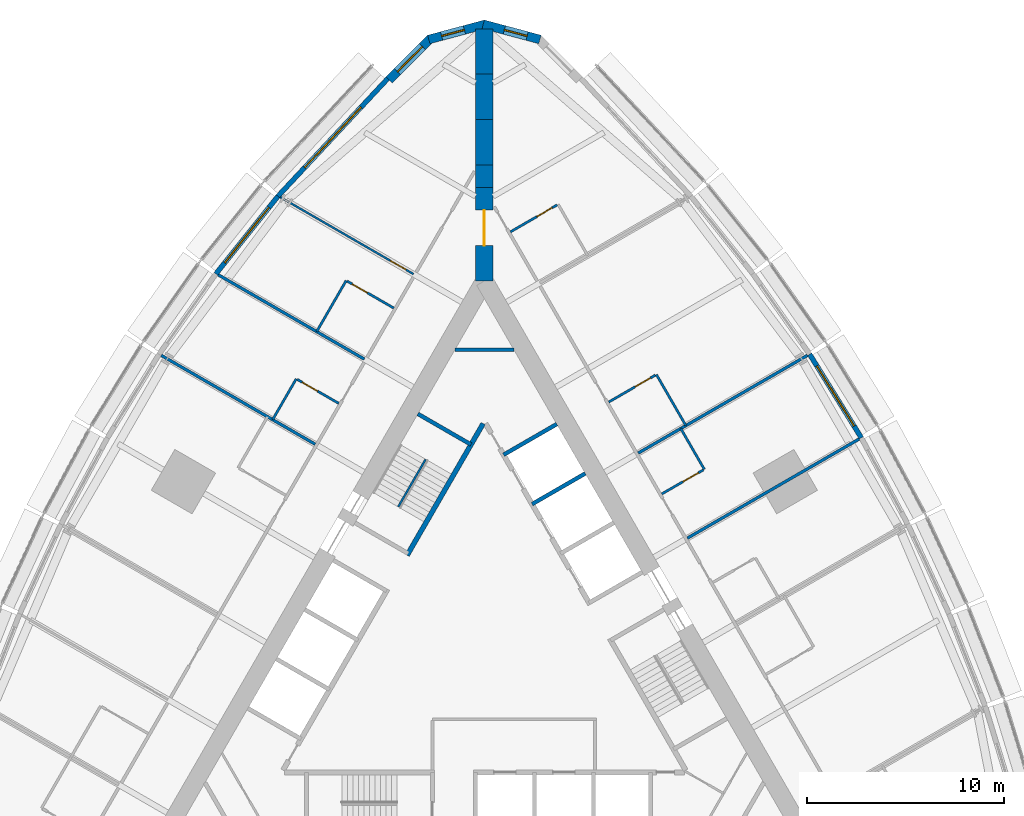
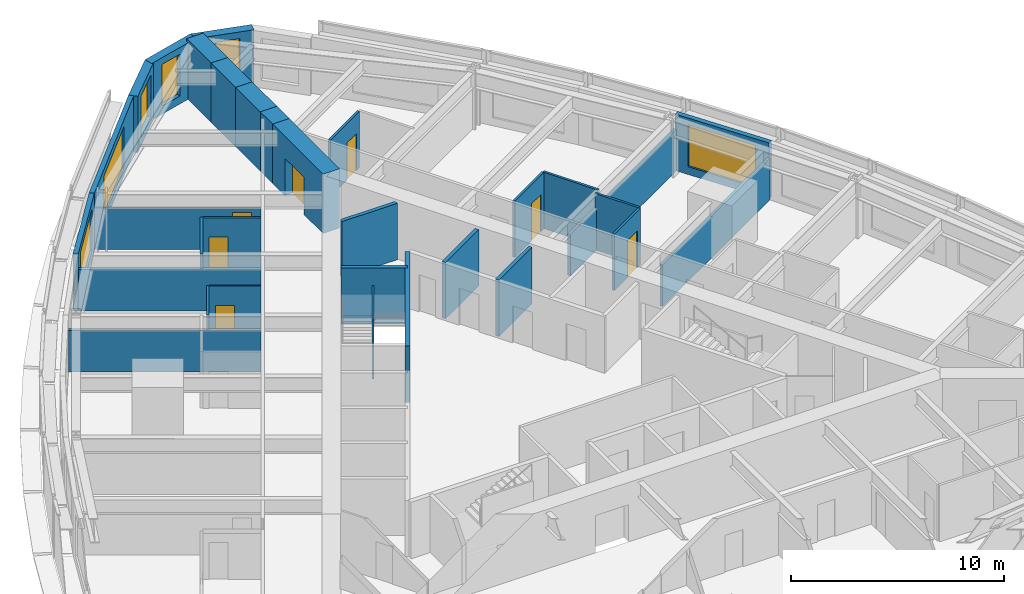
# One storey, part 12 of 14: 31 walls, 7 doors, 6 windows, 13 openings.
"""IFC4 building model written with IfcOpenShell, lengths in metres."""

from ifc_helpers import new_model, si_unit, direction, frame, frame_2d, origin, place, context, subcontext, project, spatial, polyline, rectangle, outline, extrude, material, layer, layer_set, type_object, element, fill, save


model = new_model("IFC4")

# Units and contexts
model_context = context("Model", 3, precision=1e-05, world=origin(), true_north=direction((0.0, 1.0)))
body_context = subcontext(model_context, "Body", "Model", "MODEL_VIEW")
ifc_project = project(units=[si_unit("LENGTHUNIT", "METRE"), si_unit("AREAUNIT", "SQUARE_METRE"), si_unit("VOLUMEUNIT", "CUBIC_METRE"), si_unit("PLANEANGLEUNIT", "RADIAN"), si_unit("MASSUNIT", "GRAM", prefix="KILO")], contexts=[model_context])

# Site, building, storey
site_placement = place(None, origin())
site = spatial("IfcSite", under=ifc_project, at=site_placement, CompositionType="ELEMENT")
building_placement = place(site_placement, origin())
building = spatial("IfcBuilding", under=site, at=building_placement, Name="Trikona Tower", CompositionType="ELEMENT")
storey_placement = place(building_placement, frame((0.0, 0.0, 65.89990234375)))
storey = spatial("IfcBuildingStorey", under=building, at=storey_placement, Name="L16", CompositionType="ELEMENT", Elevation=65.89990234375)

# Wall
ifc_material_1 = material(Name="Metal stud and cement board", Category="gypsum")
ifc_layer_1 = layer(ifc_material_1, 0.1201171875)
ifc_layer_set_1 = layer_set([ifc_layer_1], Name="Bathroom wall 120")
wall_type_1 = type_object("IfcWallType", Name="Bathroom wall 120", PredefinedType="PLUMBINGWALL", material=ifc_layer_set_1)
wall_1_placement = place(storey_placement, frame((11.193603515625, 9.46484375, 0.0), z_axis=(0.0, 0.0, 1.0), x_axis=(-0.500077600433, 0.865980596518, 0.0)))
element("IfcWall", 1, at=wall_1_placement, inside=storey, type_object=wall_type_1, Name="Bathroom wall 1610", PredefinedType="PLUMBINGWALL", context=body_context, shape_type="SweptSolid", body=[
    extrude(rectangle(XDim=2.39990234375, YDim=0.1201171875, at=frame_2d((1.199951171875, 0.0))), origin(), (0.0, 0.0, 1.0), 3.235107421875),
])

# Wall, opening, door
wall_2_placement = place(storey_placement, frame((9.028564453125, 8.21484375, 0.0), z_axis=(0.0, 0.0, 1.0), x_axis=(0.866023955769, 0.500002508028, 0.0)))
wall_2 = element("IfcWall", 2, at=wall_2_placement, inside=storey, type_object=wall_type_1, Name="Bathroom wall 1610", PredefinedType="PLUMBINGWALL", context=body_context, shape_type="SweptSolid", body=[
    extrude(rectangle(XDim=2.43994140625, YDim=0.1201171875, at=frame_2d((1.219970703125, 0.0))), origin(), (0.0, 0.0, 1.0), 3.235107421875),
])
opening_1_placement = place(wall_2_placement, frame((1.25, 0.0, 0.0)))
opening_1 = element("IfcOpeningElement", 3, at=opening_1_placement, cuts=wall_2, Name="Opening D2", PredefinedType="OPENING", context=body_context, shape_type="SweptSolid", body=[
    extrude(rectangle(XDim=0.89990234375, YDim=2.1298828125, at=frame_2d((0.449951171875, 1.06494140625))), frame((0.0, 0.070068359375, 0.0), z_axis=(0.0, -1.0, 0.0), x_axis=(1.0, 0.0, 0.0)), (0.0, 0.0, 1.0), 0.14013671875),
])
ifc_material_2 = material(Name="Steel door frame with solid-core timber leaf", Category="steel")
door_type_1 = type_object("IfcDoorType", Name="Bathroom door 900x2130", OperationType="SLIDING_TO_LEFT", PredefinedType="DOOR", material=ifc_material_2)
door_1_placement = place(opening_1_placement, origin())
door_1 = element("IfcDoor", 4, at=door_1_placement, inside=storey, type_object=door_type_1, Name="Bathroom door 1610", OperationType="SLIDING_TO_LEFT", OverallHeight=2.1298828125, OverallWidth=0.89990234375, PredefinedType="DOOR", context=body_context, shape_type="SweptSolid", body=[
    extrude(rectangle(XDim=0.89990234375, YDim=2.1298828125, at=frame_2d((0.449951171875, 1.06494140625))), frame((0.0, 0.02490234375, 0.0), z_axis=(0.0, -1.0, 0.0), x_axis=(1.0, 0.0, 0.0)), (0.0, 0.0, 1.0), 0.050048828125),
])
fill(opening_1, door_1)

# Wall
wall_3_placement = place(storey_placement, frame((10.25341796875, 11.693359375, 0.0), z_axis=(0.0, 0.0, 1.0), x_axis=(-0.50002537861, 0.866010750942, 0.0)))
element("IfcWall", 5, at=wall_3_placement, inside=storey, type_object=wall_type_1, Name="Bathroom wall 1611", PredefinedType="PLUMBINGWALL", context=body_context, shape_type="SweptSolid", body=[
    extrude(rectangle(XDim=2.999755859375, YDim=0.1201171875, at=frame_2d((1.5, 0.0))), origin(), (0.0, 0.0, 1.0), 3.235107421875),
])

# Wall, opening, door
wall_4_placement = place(storey_placement, frame((6.32861328125, 12.891357421875, 0.0), z_axis=(0.0, 0.0, 1.0), x_axis=(0.866035715982, 0.499982138324, 0.0)))
wall_4 = element("IfcWall", 6, at=wall_4_placement, inside=storey, type_object=wall_type_1, Name="Bathroom wall 1611", PredefinedType="PLUMBINGWALL", context=body_context, shape_type="SweptSolid", body=[
    extrude(rectangle(XDim=2.73974609375, YDim=0.1201171875, at=frame_2d((1.369873046875, 0.0))), origin(), (0.0, 0.0, 1.0), 3.235107421875),
])
opening_2_placement = place(wall_4_placement, frame((1.550048828125, 0.0, 0.0)))
opening_2 = element("IfcOpeningElement", 7, at=opening_2_placement, cuts=wall_4, Name="Opening D2", PredefinedType="OPENING", context=body_context, shape_type="SweptSolid", body=[
    extrude(rectangle(XDim=0.89990234375, YDim=2.1298828125, at=frame_2d((0.449951171875, 1.06494140625))), frame((0.0, 0.070068359375, 0.0), z_axis=(0.0, -1.0, 0.0), x_axis=(1.0, 0.0, 0.0)), (0.0, 0.0, 1.0), 0.14013671875),
])
door_2_placement = place(opening_2_placement, origin())
door_2 = element("IfcDoor", 8, at=door_2_placement, inside=storey, type_object=door_type_1, Name="Bathroom door 1611", OperationType="SLIDING_TO_LEFT", OverallHeight=2.1298828125, OverallWidth=0.89990234375, PredefinedType="DOOR", context=body_context, shape_type="SweptSolid", body=[
    extrude(rectangle(XDim=0.89990234375, YDim=2.1298828125, at=frame_2d((0.449951171875, 1.06494140625))), frame((0.0, 0.02490234375, 0.0), z_axis=(0.0, -1.0, 0.0), x_axis=(1.0, 0.0, 0.0)), (0.0, 0.0, 1.0), 0.050048828125),
])
fill(opening_2, door_2)

wall_5_placement = place(storey_placement, frame((1.32861328125, 21.551513671875, 0.0), z_axis=(0.0, 0.0, 1.0), x_axis=(0.865997131366, 0.500048966069, 0.0)))
wall_5 = element("IfcWall", 9, at=wall_5_placement, inside=storey, type_object=wall_type_1, Name="Bathroom wall 1612", PredefinedType="PLUMBINGWALL", context=body_context, shape_type="SweptSolid", body=[
    extrude(rectangle(XDim=2.739990234375, YDim=0.1201171875, at=frame_2d((1.3701171875, 0.0))), origin(), (0.0, 0.0, 1.0), 3.235107421875),
])
opening_3_placement = place(wall_5_placement, frame((1.550048828125, 0.0, 0.0)))
opening_3 = element("IfcOpeningElement", 10, at=opening_3_placement, cuts=wall_5, Name="Opening D2", PredefinedType="OPENING", context=body_context, shape_type="SweptSolid", body=[
    extrude(rectangle(XDim=0.89990234375, YDim=2.1298828125, at=frame_2d((0.449951171875, 1.06494140625))), frame((0.0, 0.070068359375, 0.0), z_axis=(0.0, -1.0, 0.0), x_axis=(1.0, 0.0, 0.0)), (0.0, 0.0, 1.0), 0.14013671875),
])
door_3_placement = place(opening_3_placement, origin())
door_3 = element("IfcDoor", 11, at=door_3_placement, inside=storey, type_object=door_type_1, Name="Bathroom door 1612", OperationType="SLIDING_TO_LEFT", OverallHeight=2.1298828125, OverallWidth=0.89990234375, PredefinedType="DOOR", context=body_context, shape_type="SweptSolid", body=[
    extrude(rectangle(XDim=0.89990234375, YDim=2.1298828125, at=frame_2d((0.449951171875, 1.06494140625))), frame((0.0, 0.02490234375, 0.0), z_axis=(0.0, -1.0, 0.0), x_axis=(1.0, 0.0, 0.0)), (0.0, 0.0, 1.0), 0.050048828125),
])
fill(opening_3, door_3)

# Wall
wall_6_placement = place(storey_placement, frame((-7.03271484375, 19.071533203125, 0.0), z_axis=(0.0, 0.0, 1.0), x_axis=(-0.499990139034, -0.866031096941, 0.0)))
element("IfcWall", 12, at=wall_6_placement, inside=storey, type_object=wall_type_1, Name="Bathroom wall 1613.1", PredefinedType="PLUMBINGWALL", context=body_context, shape_type="SweptSolid", body=[
    extrude(rectangle(XDim=3.0, YDim=0.1201171875, at=frame_2d((1.5, 0.0))), origin(), (0.0, 0.0, 1.0), 3.235107421875),
])

# Wall, opening, door
wall_7_placement = place(storey_placement, frame((-4.60791015625, 17.67138671875, 0.0), z_axis=(0.0, 0.0, 1.0), x_axis=(-0.865997131366, 0.500048966069, 0.0)))
wall_7 = element("IfcWall", 13, at=wall_7_placement, inside=storey, type_object=wall_type_1, Name="Bathroom wall 1613.1", PredefinedType="PLUMBINGWALL", context=body_context, shape_type="SweptSolid", body=[
    extrude(rectangle(XDim=2.739990234375, YDim=0.1201171875, at=frame_2d((1.3701171875, 0.0))), origin(), (0.0, 0.0, 1.0), 3.235107421875),
])
opening_4_placement = place(wall_7_placement, frame((1.550048828125, 0.0, 0.0)))
opening_4 = element("IfcOpeningElement", 14, at=opening_4_placement, cuts=wall_7, Name="Opening D2", PredefinedType="OPENING", context=body_context, shape_type="SweptSolid", body=[
    extrude(rectangle(XDim=0.89990234375, YDim=2.1298828125, at=frame_2d((0.449951171875, 1.06494140625))), frame((0.0, 0.070068359375, 0.0), z_axis=(0.0, -1.0, 0.0), x_axis=(1.0, 0.0, 0.0)), (0.0, 0.0, 1.0), 0.14013671875),
])
door_4_placement = place(opening_4_placement, origin())
door_4 = element("IfcDoor", 15, at=door_4_placement, inside=storey, type_object=door_type_1, Name="Bathroom door 1613.1", OperationType="SLIDING_TO_LEFT", OverallHeight=2.1298828125, OverallWidth=0.89990234375, PredefinedType="DOOR", context=body_context, shape_type="SweptSolid", body=[
    extrude(rectangle(XDim=0.89990234375, YDim=2.1298828125, at=frame_2d((0.449951171875, 1.06494140625))), frame((0.0, 0.02490234375, 0.0), z_axis=(0.0, -1.0, 0.0), x_axis=(1.0, 0.0, 0.0)), (0.0, 0.0, 1.0), 0.050048828125),
])
fill(opening_4, door_4)

# Wall
wall_8_placement = place(storey_placement, frame((-9.572998046875, 14.07177734375, 0.0), z_axis=(0.0, 0.0, 1.0), x_axis=(-0.500001309137, -0.866024647952, 0.0)))
element("IfcWall", 16, at=wall_8_placement, inside=storey, type_object=wall_type_1, Name="Bathroom wall 1614", PredefinedType="PLUMBINGWALL", context=body_context, shape_type="SweptSolid", body=[
    extrude(rectangle(XDim=2.39990234375, YDim=0.1201171875, at=frame_2d((1.199951171875, 0.0))), origin(), (0.0, 0.0, 1.0), 3.235107421875),
])

# Wall, opening, door
wall_9_placement = place(storey_placement, frame((-7.407958984375, 12.82177734375, 0.0), z_axis=(0.0, 0.0, 1.0), x_axis=(-0.866023955769, 0.500002508028, 0.0)))
wall_9 = element("IfcWall", 17, at=wall_9_placement, inside=storey, type_object=wall_type_1, Name="Bathroom wall 1614", PredefinedType="PLUMBINGWALL", context=body_context, shape_type="SweptSolid", body=[
    extrude(rectangle(XDim=2.43994140625, YDim=0.1201171875, at=frame_2d((1.219970703125, 0.0))), origin(), (0.0, 0.0, 1.0), 3.235107421875),
])
opening_5_placement = place(wall_9_placement, frame((1.25, 0.0, 0.0)))
opening_5 = element("IfcOpeningElement", 18, at=opening_5_placement, cuts=wall_9, Name="Opening D2", PredefinedType="OPENING", context=body_context, shape_type="SweptSolid", body=[
    extrude(rectangle(XDim=0.89990234375, YDim=2.1298828125, at=frame_2d((0.449951171875, 1.06494140625))), frame((0.0, 0.070068359375, 0.0), z_axis=(0.0, -1.0, 0.0), x_axis=(1.0, 0.0, 0.0)), (0.0, 0.0, 1.0), 0.14013671875),
])
door_5_placement = place(opening_5_placement, origin())
door_5 = element("IfcDoor", 19, at=door_5_placement, inside=storey, type_object=door_type_1, Name="Bathroom door 1614", OperationType="SLIDING_TO_LEFT", OverallHeight=2.1298828125, OverallWidth=0.89990234375, PredefinedType="DOOR", context=body_context, shape_type="SweptSolid", body=[
    extrude(rectangle(XDim=0.89990234375, YDim=2.1298828125, at=frame_2d((0.449951171875, 1.06494140625))), frame((0.0, 0.02490234375, 0.0), z_axis=(0.0, -1.0, 0.0), x_axis=(1.0, 0.0, 0.0)), (0.0, 0.0, 1.0), 0.050048828125),
])
fill(opening_5, door_5)

# Wall, opening, window
ifc_material_3 = material(Name="Brick-faced precast concrete", Category="masonry")
ifc_layer_2 = layer(ifc_material_3, 0.449951171875)
ifc_layer_set_2 = layer_set([ifc_layer_2], Name="Brick-faced corner wall 450")
wall_type_2 = type_object("IfcWallType", Name="Brick-faced corner wall 450", PredefinedType="SOLIDWALL", material=ifc_layer_set_2)
wall_10_placement = place(storey_placement, frame((2.82861328125, 31.3408203125, 0.0), z_axis=(0.0, 0.0, 1.0), x_axis=(-0.965930548995, 0.258801419081, 0.0)))
wall_10 = element("IfcWall", 20, at=wall_10_placement, inside=storey, type_object=wall_type_2, Name="External wall L16-21", PredefinedType="SOLIDWALL", context=body_context, shape_type="SweptSolid", body=[
    extrude(outline(polyline([(2.988525390625, 0.22509765625), (2.92919921875, 0.22509765625), (2.4375, 0.09326171875), (2.40234375, 0.22509765625), (0.0, 0.22509765625), (0.0, -0.22509765625), (2.988525390625, -0.22509765625), (2.988525390625, 0.22509765625)])), origin(), (0.0, 0.0, 1.0), 3.235107421875),
])
opening_6_placement = place(wall_10_placement, frame((0.676025390625, 0.0, 0.449951171875)))
opening_6 = element("IfcOpeningElement", 21, at=opening_6_placement, cuts=wall_10, Name="Opening W1224", PredefinedType="OPENING", context=body_context, shape_type="SweptSolid", body=[
    extrude(rectangle(XDim=1.199951171875, YDim=2.39990234375, at=frame_2d((0.60009765625, 1.199951171875))), frame((0.0, 0.23486328125, 0.0), z_axis=(0.0, -1.0, 0.0), x_axis=(1.0, 0.0, 0.0)), (0.0, 0.0, 1.0), 0.469970703125),
])
ifc_material_4 = material(Name="Aluminium-framed double glazing", Category="aluminium")
window_type_1 = type_object("IfcWindowType", Name="Window 1200x2400", PartitioningType="SINGLE_PANEL", PredefinedType="WINDOW", material=ifc_material_4)
window_1_placement = place(opening_6_placement, origin())
window_1 = element("IfcWindow", 22, at=window_1_placement, inside=storey, type_object=window_type_1, Name="Window 1612", OverallHeight=2.39990234375, OverallWidth=1.199951171875, PartitioningType="SINGLE_PANEL", PredefinedType="WINDOW", context=body_context, shape_type="SweptSolid", body=[
    extrude(rectangle(XDim=1.199951171875, YDim=2.39990234375, at=frame_2d((0.60009765625, 1.199951171875))), frame((0.0, 0.030029296875, 0.0), z_axis=(0.0, -1.0, 0.0), x_axis=(1.0, 0.0, 0.0)), (0.0, 0.0, 1.0), 0.06005859375),
])
fill(opening_6, window_1)

wall_11_placement = place(storey_placement, frame((0.05810546875, 32.1142578125, 0.0), z_axis=(0.0, 0.0, 1.0), x_axis=(-0.965930548995, -0.258801419081, 0.0)))
wall_11 = element("IfcWall", 23, at=wall_11_placement, inside=storey, type_object=wall_type_2, Name="External wall L16-22", PredefinedType="SOLIDWALL", context=body_context, shape_type="SweptSolid", body=[
    extrude(outline(polyline([(2.988525390625, 0.22509765625), (0.58642578125, 0.22509765625), (0.551025390625, 0.09326171875), (0.059326171875, 0.22509765625), (0.0, 0.22509765625), (0.0, -0.22509765625), (2.988525390625, -0.22509765625), (2.988525390625, 0.22509765625)])), origin(), (0.0, 0.0, 1.0), 3.235107421875),
])
opening_7_placement = place(wall_11_placement, frame((1.112548828125, 0.0, 0.449951171875)))
opening_7 = element("IfcOpeningElement", 24, at=opening_7_placement, cuts=wall_11, Name="Opening W1224", PredefinedType="OPENING", context=body_context, shape_type="SweptSolid", body=[
    extrude(rectangle(XDim=1.199951171875, YDim=2.39990234375, at=frame_2d((0.60009765625, 1.199951171875))), frame((0.0, 0.23486328125, 0.0), z_axis=(0.0, -1.0, 0.0), x_axis=(1.0, 0.0, 0.0)), (0.0, 0.0, 1.0), 0.469970703125),
])
window_2_placement = place(opening_7_placement, origin())
window_2 = element("IfcWindow", 25, at=window_2_placement, inside=storey, type_object=window_type_1, Name="Window 1613", OverallHeight=2.39990234375, OverallWidth=1.199951171875, PartitioningType="SINGLE_PANEL", PredefinedType="WINDOW", context=body_context, shape_type="SweptSolid", body=[
    extrude(rectangle(XDim=1.199951171875, YDim=2.39990234375, at=frame_2d((0.60009765625, 1.199951171875))), frame((0.0, 0.030029296875, 0.0), z_axis=(0.0, -1.0, 0.0), x_axis=(1.0, 0.0, 0.0)), (0.0, 0.0, 1.0), 0.06005859375),
])
fill(opening_7, window_2)

wall_12_placement = place(storey_placement, frame((-2.727783203125, 31.39892578125, 0.0), z_axis=(0.0, 0.0, 1.0), x_axis=(-0.707106781187, -0.707106781187, 0.0)))
wall_12 = element("IfcWall", 26, at=wall_12_placement, inside=storey, type_object=wall_type_2, Name="External wall L16-23", PredefinedType="SOLIDWALL", context=body_context, shape_type="SweptSolid", body=[
    extrude(rectangle(XDim=2.98828125, YDim=0.449951171875, at=frame_2d((1.494140625, 0.0))), origin(), (0.0, 0.0, 1.0), 3.235107421875),
])
opening_8_placement = place(wall_12_placement, frame((0.59423828125, 0.0, 0.449951171875)))
opening_8 = element("IfcOpeningElement", 27, at=opening_8_placement, cuts=wall_12, Name="Opening W1824", PredefinedType="OPENING", context=body_context, shape_type="SweptSolid", body=[
    extrude(rectangle(XDim=1.800048828125, YDim=2.39990234375, at=frame_2d((0.89990234375, 1.199951171875))), frame((0.0, 0.23486328125, 0.0), z_axis=(0.0, -1.0, 0.0), x_axis=(1.0, 0.0, 0.0)), (0.0, 0.0, 1.0), 0.469970703125),
])
ifc_material_5 = material(Name="Aluminium-framed double glazing", Category="aluminium")
window_type_2 = type_object("IfcWindowType", Name="Window 1800x2400", PartitioningType="SINGLE_PANEL", PredefinedType="WINDOW", material=ifc_material_5)
window_3_placement = place(opening_8_placement, origin())
window_3 = element("IfcWindow", 28, at=window_3_placement, inside=storey, type_object=window_type_2, Name="Window 1613", OverallHeight=2.39990234375, OverallWidth=1.800048828125, PartitioningType="SINGLE_PANEL", PredefinedType="WINDOW", context=body_context, shape_type="SweptSolid", body=[
    extrude(rectangle(XDim=1.800048828125, YDim=2.39990234375, at=frame_2d((0.89990234375, 1.199951171875))), frame((0.0, 0.030029296875, 0.0), z_axis=(0.0, -1.0, 0.0), x_axis=(1.0, 0.0, 0.0)), (0.0, 0.0, 1.0), 0.06005859375),
])
fill(opening_8, window_3)

# Wall, opening, door
ifc_material_6 = material(Name="Concrete f'c 10000 psi", Category="concrete")
ifc_layer_3 = layer(ifc_material_6, 0.89990234375)
ifc_layer_set_3 = layer_set([ifc_layer_3], Name="Buttress wall 900")
wall_type_3 = type_object("IfcWallType", Name="Buttress wall 900", PredefinedType="SHEAR", material=ifc_layer_set_3)
wall_13_placement = place(storey_placement, frame((0.0, 19.052490234375, 0.0), z_axis=(0.0, 0.0, 1.0), x_axis=(0.0, 1.0, 0.0)))
wall_13 = element("IfcWall", 29, at=wall_13_placement, inside=storey, type_object=wall_type_3, Name="Buttress wall 2", PredefinedType="SHEAR", context=body_context, shape_type="SweptSolid", body=[
    extrude(rectangle(XDim=4.74609375, YDim=0.89990234375, at=frame_2d((2.373046875, 0.0))), origin(), (0.0, 0.0, 1.0), 3.400146484375),
])
opening_9_placement = place(wall_13_placement, frame((1.800048828125, 0.0, 0.0)))
opening_9 = element("IfcOpeningElement", 30, at=opening_9_placement, cuts=wall_13, Name="Opening D10", PredefinedType="OPENING", context=body_context, shape_type="SweptSolid", body=[
    extrude(rectangle(XDim=1.800048828125, YDim=2.1298828125, at=frame_2d((0.89990234375, 1.06494140625))), frame((0.0, 0.4599609375, 0.0), z_axis=(0.0, -1.0, 0.0), x_axis=(1.0, 0.0, 0.0)), (0.0, 0.0, 1.0), 0.919921875),
])
ifc_material_7 = material(Name="Hollow metal door and frame", Category="steel")
door_type_2 = type_object("IfcDoorType", Name="Cross-corridor door pair 1800x2130", OperationType="DOUBLE_DOOR_DOUBLE_SWING", PredefinedType="DOOR", material=ifc_material_7)
door_6_placement = place(opening_9_placement, origin())
door_6 = element("IfcDoor", 31, at=door_6_placement, inside=storey, type_object=door_type_2, Name="Cross-corridor door 2", OperationType="DOUBLE_DOOR_DOUBLE_SWING", OverallHeight=2.1298828125, OverallWidth=1.800048828125, PredefinedType="DOOR", context=body_context, shape_type="SweptSolid", body=[
    extrude(rectangle(XDim=1.800048828125, YDim=2.1298828125, at=frame_2d((0.89990234375, 1.06494140625))), frame((0.0, 0.02490234375, 0.0), z_axis=(0.0, -1.0, 0.0), x_axis=(1.0, 0.0, 0.0)), (0.0, 0.0, 1.0), 0.050048828125),
])
fill(opening_9, door_6)

# Walls
wall_14_placement = place(storey_placement, frame((0.0, 23.798583984375, 0.0), z_axis=(0.0, 0.0, 1.0), x_axis=(0.0, 1.0, 0.0)))
element("IfcWall", 32, at=wall_14_placement, inside=storey, type_object=wall_type_3, Name="Buttress wall 2 part 2", PredefinedType="SHEAR", context=body_context, shape_type="SweptSolid", body=[
    extrude(rectangle(XDim=1.15478515625, YDim=0.89990234375, at=frame_2d((0.577392578125, 0.0))), origin(), (0.0, 0.0, 1.0), 3.400146484375),
])
wall_15_placement = place(storey_placement, frame((0.0, 24.953369140625, 0.0), z_axis=(0.0, 0.0, 1.0), x_axis=(0.0, 1.0, 0.0)))
element("IfcWall", 33, at=wall_15_placement, inside=storey, type_object=wall_type_3, Name="Buttress wall 2 part 3", PredefinedType="SHEAR", context=body_context, shape_type="SweptSolid", body=[
    extrude(rectangle(XDim=2.309326171875, YDim=0.89990234375, at=frame_2d((1.15478515625, 0.0))), origin(), (0.0, 0.0, 1.0), 3.400146484375),
])
wall_16_placement = place(storey_placement, frame((0.0, 27.2626953125, 0.0), z_axis=(0.0, 0.0, 1.0), x_axis=(0.0, 1.0, 0.0)))
element("IfcWall", 34, at=wall_16_placement, inside=storey, type_object=wall_type_3, Name="Buttress wall 2 part 4", PredefinedType="SHEAR", context=body_context, shape_type="SweptSolid", body=[
    extrude(rectangle(XDim=2.3095703125, YDim=0.89990234375, at=frame_2d((1.15478515625, 0.0))), origin(), (0.0, 0.0, 1.0), 3.400146484375),
])
wall_17_placement = place(storey_placement, frame((0.0, 29.572265625, 0.0), z_axis=(0.0, 0.0, 1.0), x_axis=(0.0, 1.0, 0.0)))
element("IfcWall", 35, at=wall_17_placement, inside=storey, type_object=wall_type_3, Name="Buttress wall 2 part 5", PredefinedType="SHEAR", context=body_context, shape_type="SweptSolid", body=[
    extrude(rectangle(XDim=2.309326171875, YDim=0.89990234375, at=frame_2d((1.15478515625, 0.0))), origin(), (0.0, 0.0, 1.0), 3.400146484375),
])
ifc_material_8 = material(Name="Concrete f'c 8000 psi", Category="concrete")
ifc_layer_4 = layer(ifc_material_8, 0.25)
ifc_layer_set_4 = layer_set([ifc_layer_4], Name="Hub wall 250")
wall_type_4 = type_object("IfcWallType", Name="Hub wall 250", PredefinedType="SOLIDWALL", material=ifc_layer_set_4)
wall_18_placement = place(storey_placement, frame((-0.0625, 11.794189453125, 0.0), z_axis=(0.0, 0.0, 1.0), x_axis=(-0.500006680225, -0.86602154692, 0.0)))
element("IfcWall", 36, at=wall_18_placement, inside=storey, type_object=wall_type_4, Name="Lift lobby wall C1", PredefinedType="SOLIDWALL", context=body_context, shape_type="SweptSolid", body=[
    extrude(rectangle(XDim=7.73291015625, YDim=0.25, at=frame_2d((3.866455078125, 0.0))), origin(), (0.0, 0.0, 1.0), 3.235107421875),
])

# Wall, opening, window
ifc_material_9 = material(Name="Insulated precast concrete spandrel panel", Category="concrete")
ifc_layer_5 = layer(ifc_material_9, 0.25)
ifc_layer_set_5 = layer_set([ifc_layer_5], Name="Inner skin wall 250")
wall_type_5 = type_object("IfcWallType", Name="Inner skin wall 250", PredefinedType="STANDARD", material=ifc_layer_set_5)
wall_19_placement = place(storey_placement, frame((19.182373046875, 11.070556640625, 0.0), z_axis=(0.0, 0.0, 1.0), x_axis=(-0.526132807704, 0.850402415717, 0.0)))
wall_19 = element("IfcWall", 37, at=wall_19_placement, inside=storey, type_object=wall_type_5, Name="External wall L16-16", PredefinedType="STANDARD", context=body_context, shape_type="SweptSolid", body=[
    extrude(rectangle(XDim=5.002197265625, YDim=0.25, at=frame_2d((2.5009765625, 0.0))), origin(), (0.0, 0.0, 1.0), 3.235107421875),
])
opening_10_placement = place(wall_19_placement, frame((0.701171875, 0.0, 0.449951171875)))
opening_10 = element("IfcOpeningElement", 38, at=opening_10_placement, cuts=wall_19, Name="Opening W3624", PredefinedType="OPENING", context=body_context, shape_type="SweptSolid", body=[
    extrude(rectangle(XDim=3.60009765625, YDim=2.39990234375, at=frame_2d((1.800048828125, 1.199951171875))), frame((0.0, 0.135009765625, 0.0), z_axis=(0.0, -1.0, 0.0), x_axis=(1.0, 0.0, 0.0)), (0.0, 0.0, 1.0), 0.27001953125),
])
ifc_material_10 = material(Name="Aluminium-framed double glazing", Category="aluminium")
window_type_3 = type_object("IfcWindowType", Name="Window 3600x2400", PartitioningType="SINGLE_PANEL", PredefinedType="WINDOW", material=ifc_material_10)
window_4_placement = place(opening_10_placement, origin())
window_4 = element("IfcWindow", 39, at=window_4_placement, inside=storey, type_object=window_type_3, Name="Window 1610", OverallHeight=2.39990234375, OverallWidth=3.60009765625, PartitioningType="SINGLE_PANEL", PredefinedType="WINDOW", context=body_context, shape_type="SweptSolid", body=[
    extrude(rectangle(XDim=3.60009765625, YDim=2.39990234375, at=frame_2d((1.800048828125, 1.199951171875))), frame((0.0, 0.030029296875, 0.0), z_axis=(0.0, -1.0, 0.0), x_axis=(1.0, 0.0, 0.0)), (0.0, 0.0, 1.0), 0.06005859375),
])
fill(opening_10, window_4)

wall_20_placement = place(storey_placement, frame((-4.90869140625, 29.359619140625, 0.0), z_axis=(0.0, 0.0, 1.0), x_axis=(-0.682289646561, -0.731081964075, 0.0)))
wall_20 = element("IfcWall", 40, at=wall_20_placement, inside=storey, type_object=wall_type_5, Name="External wall L16-24", PredefinedType="STANDARD", context=body_context, shape_type="SweptSolid", body=[
    extrude(rectangle(XDim=8.2109375, YDim=0.25, at=frame_2d((4.10546875, 0.0))), origin(), (0.0, 0.0, 1.0), 3.235107421875),
])
opening_11_placement = place(wall_20_placement, frame((2.005615234375, 0.0, 0.449951171875)))
opening_11 = element("IfcOpeningElement", 41, at=opening_11_placement, cuts=wall_20, Name="Opening W4224", PredefinedType="OPENING", context=body_context, shape_type="SweptSolid", body=[
    extrude(rectangle(XDim=4.199951171875, YDim=2.39990234375, at=frame_2d((2.10009765625, 1.199951171875))), frame((0.0, 0.135009765625, 0.0), z_axis=(0.0, -1.0, 0.0), x_axis=(1.0, 0.0, 0.0)), (0.0, 0.0, 1.0), 0.27001953125),
])
ifc_material_11 = material(Name="Aluminium-framed double glazing", Category="aluminium")
window_type_4 = type_object("IfcWindowType", Name="Window 4200x2400", PartitioningType="SINGLE_PANEL", PredefinedType="WINDOW", material=ifc_material_11)
window_5_placement = place(opening_11_placement, origin())
window_5 = element("IfcWindow", 42, at=window_5_placement, inside=storey, type_object=window_type_4, Name="Window 1613", OverallHeight=2.39990234375, OverallWidth=4.199951171875, PartitioningType="SINGLE_PANEL", PredefinedType="WINDOW", context=body_context, shape_type="SweptSolid", body=[
    extrude(rectangle(XDim=4.199951171875, YDim=2.39990234375, at=frame_2d((2.10009765625, 1.199951171875))), frame((0.0, 0.030029296875, 0.0), z_axis=(0.0, -1.0, 0.0), x_axis=(1.0, 0.0, 0.0)), (0.0, 0.0, 1.0), 0.06005859375),
])
fill(opening_11, window_5)

wall_21_placement = place(storey_placement, frame((-10.5048828125, 23.36376953125, 0.0), z_axis=(0.0, 0.0, 1.0), x_axis=(-0.624594965756, -0.780948864364, 0.0)))
wall_21 = element("IfcWall", 43, at=wall_21_placement, inside=storey, type_object=wall_type_5, Name="External wall L16-25", PredefinedType="STANDARD", context=body_context, shape_type="SweptSolid", body=[
    extrude(rectangle(XDim=5.0576171875, YDim=0.25, at=frame_2d((2.52880859375, 0.0))), origin(), (0.0, 0.0, 1.0), 3.235107421875),
])
opening_12_placement = place(wall_21_placement, frame((0.728759765625, 0.0, 0.449951171875)))
opening_12 = element("IfcOpeningElement", 44, at=opening_12_placement, cuts=wall_21, Name="Opening W3624", PredefinedType="OPENING", context=body_context, shape_type="SweptSolid", body=[
    extrude(rectangle(XDim=3.60009765625, YDim=2.39990234375, at=frame_2d((1.800048828125, 1.199951171875))), frame((0.0, 0.135009765625, 0.0), z_axis=(0.0, -1.0, 0.0), x_axis=(1.0, 0.0, 0.0)), (0.0, 0.0, 1.0), 0.27001953125),
])
window_6_placement = place(opening_12_placement, origin())
window_6 = element("IfcWindow", 45, at=window_6_placement, inside=storey, type_object=window_type_3, Name="Window 1613.1", OverallHeight=2.39990234375, OverallWidth=3.60009765625, PartitioningType="SINGLE_PANEL", PredefinedType="WINDOW", context=body_context, shape_type="SweptSolid", body=[
    extrude(rectangle(XDim=3.60009765625, YDim=2.39990234375, at=frame_2d((1.800048828125, 1.199951171875))), frame((0.0, 0.030029296875, 0.0), z_axis=(0.0, -1.0, 0.0), x_axis=(1.0, 0.0, 0.0)), (0.0, 0.0, 1.0), 0.06005859375),
])
fill(opening_12, window_6)

# Walls
ifc_material_12 = material(Name="Metal stud and gypsum board, 1-hour acoustic", Category="gypsum")
ifc_layer_6 = layer(ifc_material_12, 0.14990234375)
ifc_layer_set_6 = layer_set([ifc_layer_6], Name="Party wall 150")
wall_type_6 = type_object("IfcWallType", Name="Party wall 150", PredefinedType="PARTITIONING", material=ifc_layer_set_6)
wall_22_placement = place(storey_placement, frame((10.32861328125, 5.963134765625, 0.0), z_axis=(0.0, 0.0, 1.0), x_axis=(0.866021688545, 0.500006434927, 0.0)))
element("IfcWall", 46, at=wall_22_placement, inside=storey, type_object=wall_type_6, Name="Partition L16 F2 u0", PredefinedType="PARTITIONING", context=body_context, shape_type="SweptSolid", body=[
    extrude(rectangle(XDim=10.095947265625, YDim=0.14990234375, at=frame_2d((5.0478515625, 0.0))), origin(), (0.0, 0.0, 1.0), 2.389404296875),
])
wall_23_placement = place(storey_placement, frame((7.82861328125, 10.293212890625, 0.0), z_axis=(0.0, 0.0, 1.0), x_axis=(0.866016302457, 0.50001576363, 0.0)))
element("IfcWall", 47, at=wall_23_placement, inside=storey, type_object=wall_type_6, Name="Partition L16 F2 u5", PredefinedType="PARTITIONING", context=body_context, shape_type="SweptSolid", body=[
    extrude(rectangle(XDim=9.943115234375, YDim=0.14990234375, at=frame_2d((4.9716796875, 0.0))), origin(), (0.0, 0.0, 1.0), 2.389404296875),
])
wall_24_placement = place(storey_placement, frame((-6.10791015625, 15.073486328125, 0.0), z_axis=(0.0, 0.0, 1.0), x_axis=(-0.866031196456, 0.499989966665, 0.0)))
element("IfcWall", 48, at=wall_24_placement, inside=storey, type_object=wall_type_6, Name="Partition L16 F3 u-10", PredefinedType="PARTITIONING", context=body_context, shape_type="SweptSolid", body=[
    extrude(rectangle(XDim=8.584716796875, YDim=0.14990234375, at=frame_2d((4.29248046875, 0.0))), origin(), (0.0, 0.0, 1.0), 2.389404296875),
])
wall_25_placement = place(storey_placement, frame((-8.60791015625, 10.743408203125, 0.0), z_axis=(0.0, 0.0, 1.0), x_axis=(-0.866028232062, 0.499995101247, 0.0)))
element("IfcWall", 49, at=wall_25_placement, inside=storey, type_object=wall_type_6, Name="Partition L16 F3 u-5", PredefinedType="PARTITIONING", context=body_context, shape_type="SweptSolid", body=[
    extrude(rectangle(XDim=9.04296875, YDim=0.14990234375, at=frame_2d((4.521484375, 0.0))), origin(), (0.0, 0.0, 1.0), 2.389404296875),
])
ifc_material_13 = material(Name="Concrete f'c 8000 psi", Category="concrete")
ifc_layer_7 = layer(ifc_material_13, 0.199951171875)
ifc_layer_set_7 = layer_set([ifc_layer_7], Name="Shaft wall 200")
wall_type_7 = type_object("IfcWallType", Name="Shaft wall 200", PredefinedType="SOLIDWALL", material=ifc_layer_set_7)
for number, where, z_axis, x_axis, name in (
    (50, (2.428955078125, 7.695556640625, 0.0), (0.0, 0.0, 1.0), (0.866022959057, 0.500004234368, 0.0), "Shaft wall B5"),
    (51, (0.97900390625, 10.20703125, 0.0), (0.0, 0.0, 1.0), (0.866022959057, 0.500004234368, 0.0), "Shaft wall B6"),
):
    element("IfcWall", number, at=place(storey_placement, frame(where, z_axis=z_axis, x_axis=x_axis)), inside=storey, type_object=wall_type_7, Name=name, PredefinedType="SOLIDWALL", context=body_context, shape_type="SweptSolid", body=[
        extrude(rectangle(XDim=3.125, YDim=0.199951171875, at=frame_2d((1.5625, 0.0))), origin(), (0.0, 0.0, 1.0), 3.235107421875),
    ])
wall_26_placement = place(storey_placement, frame((-1.501220703125, 15.552490234375, 0.0), z_axis=(0.0, 0.0, 1.0), x_axis=(1.0, 0.0, 0.0)))
element("IfcWall", 52, at=wall_26_placement, inside=storey, type_object=wall_type_7, Name="Riser wall L16-RS2", PredefinedType="SOLIDWALL", context=body_context, shape_type="SweptSolid", body=[
    extrude(rectangle(XDim=3.00244140625, YDim=0.199951171875, at=frame_2d((1.501220703125, 0.0))), origin(), (0.0, 0.0, 1.0), 3.235107421875),
])
ifc_material_14 = material(Name="Concrete f'c 8000 psi", Category="concrete")
ifc_layer_8 = layer(ifc_material_14, 0.199951171875)
ifc_layer_set_8 = layer_set([ifc_layer_8], Name="Shaft wall 200 load-bearing")
wall_type_8 = type_object("IfcWallType", Name="Shaft wall 200 load-bearing", PredefinedType="SOLIDWALL", material=ifc_layer_set_8)
wall_27_placement = place(storey_placement, frame((-0.678955078125, 10.7265625, 0.0), z_axis=(0.0, 0.0, 1.0), x_axis=(-0.866022959057, 0.500004234368, 0.0)))
element("IfcWall", 53, at=wall_27_placement, inside=storey, type_object=wall_type_8, Name="Shaft wall C1", PredefinedType="SOLIDWALL", context=body_context, shape_type="SweptSolid", body=[
    extrude(rectangle(XDim=3.125, YDim=0.199951171875, at=frame_2d((1.5625, 0.0))), origin(), (0.0, 0.0, 1.0), 3.235107421875),
])
ifc_material_15 = material(Name="Concrete f'c 5000 psi", Category="concrete")
ifc_layer_9 = layer(ifc_material_15, 0.10009765625)
ifc_layer_set_9 = layer_set([ifc_layer_9], Name="Stair spine wall 100")
wall_type_9 = type_object("IfcWallType", Name="Stair spine wall 100", PredefinedType="SOLIDWALL", material=ifc_layer_set_9)
wall_28_placement = place(storey_placement, frame((-2.98779296875, 9.9775390625, 0.0), z_axis=(0.0, 0.0, 1.0), x_axis=(-0.499992232847, -0.866029888106, 0.0)))
element("IfcWall", 54, at=wall_28_placement, inside=storey, type_object=wall_type_9, Name="Stair C spine wall L16", PredefinedType="SOLIDWALL", context=body_context, shape_type="SweptSolid", body=[
    extrude(rectangle(XDim=2.7939453125, YDim=0.10009765625, at=frame_2d((1.39697265625, 0.0))), origin(), (0.0, 0.0, 1.0), 3.400146484375),
])

# Wall, opening, door
ifc_material_16 = material(Name="Metal stud and gypsum board, acoustic", Category="gypsum")
ifc_layer_10 = layer(ifc_material_16, 0.10009765625)
ifc_layer_set_10 = layer_set([ifc_layer_10], Name="Suite partition 100")
wall_type_10 = type_object("IfcWallType", Name="Suite partition 100", PredefinedType="PARTITIONING", material=ifc_layer_set_10)
wall_29_placement = place(storey_placement, frame((-3.60791015625, 19.403564453125, 0.0), z_axis=(0.0, 0.0, 1.0), x_axis=(-0.866021300503, 0.500007107024, 0.0)))
wall_29 = element("IfcWall", 55, at=wall_29_placement, inside=storey, type_object=wall_type_10, Name="Suite partition L16 F3 u-15", PredefinedType="PARTITIONING", context=body_context, shape_type="SweptSolid", body=[
    extrude(rectangle(XDim=7.8203125, YDim=0.10009765625, at=frame_2d((3.91015625, 0.0))), origin(), (0.0, 0.0, 1.0), 2.389404296875),
])
opening_13_placement = place(wall_29_placement, frame((0.449951171875, 0.0, 0.0)))
opening_13 = element("IfcOpeningElement", 56, at=opening_13_placement, cuts=wall_29, Name="Opening D13", PredefinedType="OPENING", context=body_context, shape_type="SweptSolid", body=[
    extrude(rectangle(XDim=0.89990234375, YDim=2.1298828125, at=frame_2d((0.449951171875, 1.06494140625))), frame((0.0, 0.06005859375, 0.0), z_axis=(0.0, -1.0, 0.0), x_axis=(1.0, 0.0, 0.0)), (0.0, 0.0, 1.0), 0.1201171875),
])
ifc_material_17 = material(Name="Steel door frame with solid-core timber leaf", Category="steel")
door_type_3 = type_object("IfcDoorType", Name="Suite door 900x2130", OperationType="SINGLE_SWING_LEFT", PredefinedType="DOOR", material=ifc_material_17)
door_7_placement = place(opening_13_placement, origin())
door_7 = element("IfcDoor", 57, at=door_7_placement, inside=storey, type_object=door_type_3, Name="Suite door 1613", OperationType="SINGLE_SWING_LEFT", OverallHeight=2.1298828125, OverallWidth=0.89990234375, PredefinedType="DOOR", context=body_context, shape_type="SweptSolid", body=[
    extrude(rectangle(XDim=0.89990234375, YDim=2.1298828125, at=frame_2d((0.449951171875, 1.06494140625))), frame((0.0, 0.02490234375, 0.0), z_axis=(0.0, -1.0, 0.0), x_axis=(1.0, 0.0, 0.0)), (0.0, 0.0, 1.0), 0.050048828125),
])
fill(opening_13, door_7)

save(model, "model.ifc")
